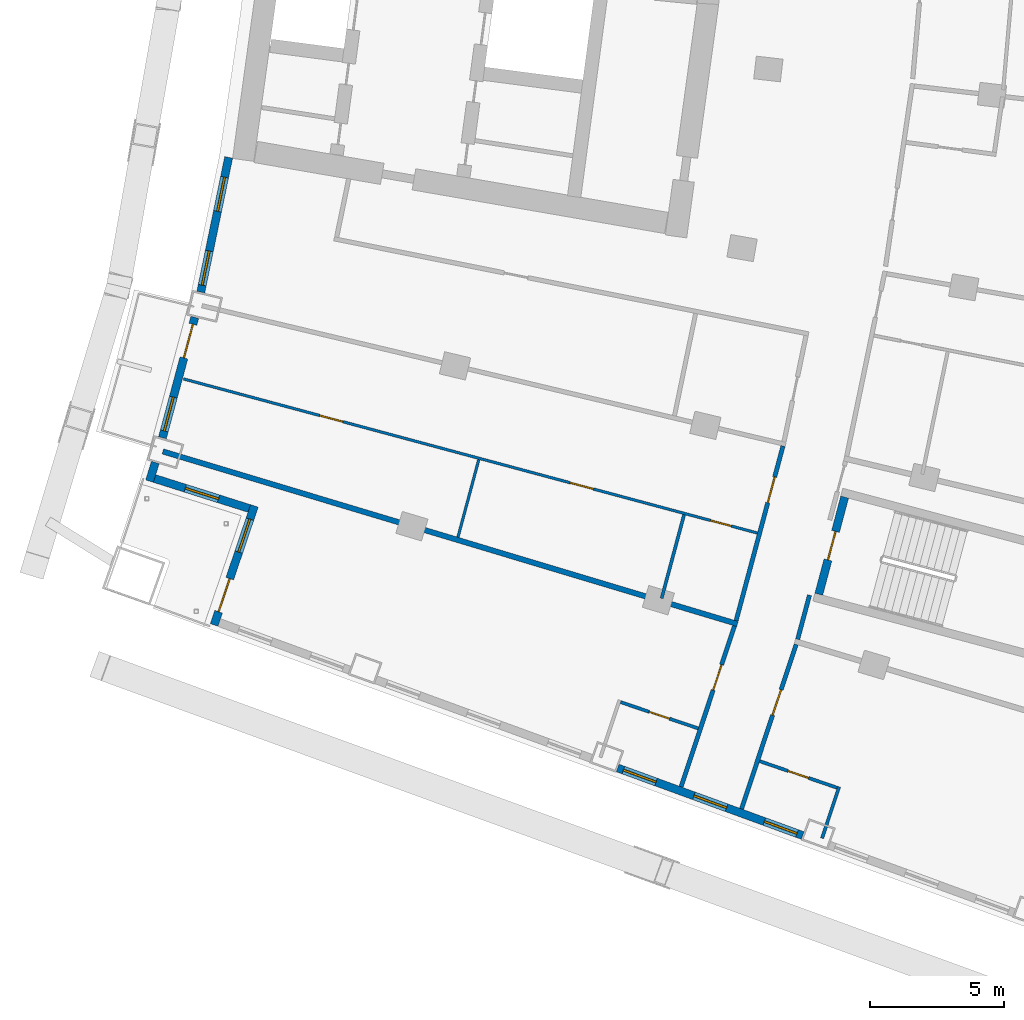
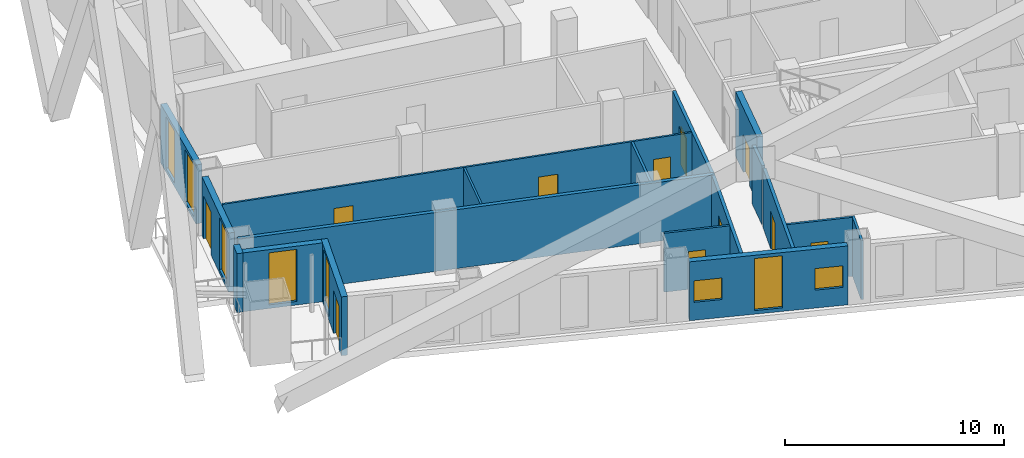
# One storey, part 11 of 24: 18 walls, 11 doors, 8 windows, 19 openings.
"""IFC4 building model written with IfcOpenShell, lengths in metres."""

import ifcopenshell
import ifcopenshell.guid

model = None  # the IFC model being written
_history = None  # IfcOwnerHistory: only IFC2X3 demands one
_inside = {}  # id of a spatial element -> (the spatial element, [elements in it])
_under = {}  # id of a project, library or spatial element -> (it, [spatial elements below it])
_declared = {}  # id of a project -> (the project, [libraries it declares])
_typed = {}  # id of a type object -> (the type object, [elements of that type])
_made_of = {}  # id of a material, layer set ... -> (it, [elements and type objects made of it])


def new_model(schema):
    """Start an empty IFC model of exactly this schema.

    Asked for "IFC4X3", IfcOpenShell would pick the latest addendum, in which some entities
    have other attributes; the version numbers below select the first issue.
    IFC2X3 requires an IfcOwnerHistory on every rooted entity: one is made here for all.
    """
    global model, _history
    if schema == "IFC4X3":
        model = ifcopenshell.file(schema_version=(4, 3, 0, 0))
    else:
        model = ifcopenshell.file(schema=schema)
    _inside.clear()
    _under.clear()
    _declared.clear()
    _typed.clear()
    _made_of.clear()
    _history = None
    if model.schema == "IFC2X3":
        org = make("IfcOrganization", Name="unknown")
        user = make(
            "IfcPersonAndOrganization",
            ThePerson=make("IfcPerson", FamilyName="unknown"),
            TheOrganization=org,
        )
        app = make(
            "IfcApplication",
            ApplicationDeveloper=org,
            Version="unknown",
            ApplicationFullName="unknown",
            ApplicationIdentifier="unknown",
        )
        _history = make(
            "IfcOwnerHistory",
            OwningUser=user,
            OwningApplication=app,
            ChangeAction="ADDED",
            CreationDate=0,
        )
    return model


def make(cls, **values):
    """One entity of the class cls with the attributes given. An attribute that is None is left unset."""
    return model.create_entity(
        cls, **{name: value for name, value in values.items() if value is not None}
    )


def rooted(cls, **values):
    """An entity with a GlobalId (a new one), such as an element, a storey or a relation."""
    return make(cls, GlobalId=ifcopenshell.guid.new(), OwnerHistory=_history, **values)


def si_unit(unit_type, name, prefix=None):
    """IfcSIUnit, for example si_unit("LENGTHUNIT", "METRE", prefix="MILLI")."""
    return make("IfcSIUnit", UnitType=unit_type, Prefix=prefix, Name=name)


def assignment(units):
    """IfcUnitAssignment: the units of a project."""
    return None if units is None else make("IfcUnitAssignment", Units=units)


def point(xyz):
    """IfcCartesianPoint."""
    return None if xyz is None else make("IfcCartesianPoint", Coordinates=xyz)


def direction(xyz):
    """IfcDirection."""
    return None if xyz is None else make("IfcDirection", DirectionRatios=xyz)


def frame(location, z_axis=None, x_axis=None):
    """IfcAxis2Placement3D, a coordinate frame: its origin and axes. An axis left out is left unset."""
    return make(
        "IfcAxis2Placement3D",
        Location=point(location),
        Axis=direction(z_axis),
        RefDirection=direction(x_axis),
    )


def frame_2d(location, x_axis=None):
    """IfcAxis2Placement2D, a coordinate frame in the plane: its origin and x axis."""
    return make(
        "IfcAxis2Placement2D", Location=point(location), RefDirection=direction(x_axis)
    )


def origin():
    """The frame at (0, 0, 0) with its axes left unset."""
    return frame((0.0, 0.0, 0.0))


def place(relative_to, where):
    """IfcLocalPlacement: puts the frame where relative to a parent placement (None: the world)."""
    return make(
        "IfcLocalPlacement", PlacementRelTo=relative_to, RelativePlacement=where
    )


def context(
    kind, dimensions, precision=None, world=None, true_north=None, identifier=None
):
    """IfcGeometricRepresentationContext, for example the 3D "Model" context."""
    return make(
        "IfcGeometricRepresentationContext",
        ContextIdentifier=identifier,
        ContextType=kind,
        CoordinateSpaceDimension=dimensions,
        Precision=precision,
        WorldCoordinateSystem=world,
        TrueNorth=true_north,
    )


def subcontext(parent, identifier, kind, view, scale=None):
    """IfcGeometricRepresentationSubContext, for example "Body" below "Model"."""
    return make(
        "IfcGeometricRepresentationSubContext",
        ContextIdentifier=identifier,
        ContextType=kind,
        ParentContext=parent,
        TargetScale=scale,
        TargetView=view,
    )


def project(units=None, contexts=None):
    """IfcProject with its units and contexts."""
    return rooted(
        "IfcProject",
        Name="project",
        RepresentationContexts=contexts,
        UnitsInContext=assignment(units),
    )


def spatial(cls, under=None, at=None, **own):
    """A site, building, storey or space (cls), placed at a placement, below another one or the project."""
    s = rooted(cls, ObjectPlacement=at, **own)
    if under is not None:
        _under.setdefault(under.id(), (under, []))[1].append(s)
    return s


def profile(cls, at=None, kind="AREA", **sizes):
    """A parametric profile (cls). Its sizes go by their IFC names, for example OverallWidth=200.0."""
    return make(cls, ProfileType=kind, Position=at, **sizes)


def rectangle(**sizes):
    """IfcRectangleProfileDef."""
    return profile("IfcRectangleProfileDef", **sizes)


def extrude(swept, where, along, depth):
    """IfcExtrudedAreaSolid: the profile swept, set in the frame where, extruded along a direction by depth."""
    return make(
        "IfcExtrudedAreaSolid",
        SweptArea=swept,
        Position=where,
        ExtrudedDirection=direction(along),
        Depth=depth,
    )


def shape(context_of_items, identifier, shape_type, items):
    """IfcShapeRepresentation: the items that make up one representation, for example the "Body"."""
    return make(
        "IfcShapeRepresentation",
        ContextOfItems=context_of_items,
        RepresentationIdentifier=identifier,
        RepresentationType=shape_type,
        Items=items,
    )


def material(Name=None, Category=None):
    """IfcMaterial."""
    return make("IfcMaterial", Name=Name, Category=Category)


def layer(
    of_material, thickness, ventilated=None, Name=None, Category=None, Priority=None
):
    """IfcMaterialLayer: one layer of a wall or slab, of a material (None: an air gap)."""
    return make(
        "IfcMaterialLayer",
        Material=of_material,
        LayerThickness=thickness,
        IsVentilated=ventilated,
        Name=Name,
        Category=Category,
        Priority=Priority,
    )


def layer_set(layers, Name=None):
    """IfcMaterialLayerSet."""
    return make("IfcMaterialLayerSet", MaterialLayers=layers, LayerSetName=Name)


def made_of(thing, what):
    """Note that an element or type object is made of a material, layer set ...; save() writes the relation."""
    if what is not None:
        _made_of.setdefault(what.id(), (what, []))[1].append(thing)
    return thing


def type_object(cls, material=None, **own):
    """A type object (cls), such as IfcWallType, which elements share."""
    return made_of(rooted(cls, **own), material)


def element(
    cls,
    number,
    at=None,
    inside=None,
    cuts=None,
    type_object=None,
    material=None,
    context=None,
    identifier="Body",
    shape_type=None,
    held_by="IfcProductDefinitionShape",
    body=None,
    shapes=None,
    **own,
):
    """One element of the class cls, such as IfcWall. Its Tag is "e" and its number.

    at: its placement. inside: the storey or other place that contains it. cuts: it is an
    opening in that element (IfcRelVoidsElement). A single representation is given by context,
    identifier, shape_type and body (its items); several are given by shapes. held_by: the class
    of the entity that holds the representations. save() writes the other relations.
    """
    e = rooted(cls, Tag="e%d" % number, ObjectPlacement=at, **own)
    if body is not None:
        shapes = [shape(context, identifier, shape_type, body)]
    if shapes is not None:
        e.Representation = make(held_by, Representations=shapes)
    if inside is not None:
        _inside.setdefault(inside.id(), (inside, []))[1].append(e)
    if cuts is not None:
        rooted(
            "IfcRelVoidsElement", RelatingBuildingElement=cuts, RelatedOpeningElement=e
        )
    if type_object is not None:
        _typed.setdefault(type_object.id(), (type_object, []))[1].append(e)
    return made_of(e, material)


def fill(opening, filler):
    """IfcRelFillsElement: the door or window that sits in an opening."""
    return rooted(
        "IfcRelFillsElement",
        RelatingOpeningElement=opening,
        RelatedBuildingElement=filler,
    )


def aggregate(whole, parts):
    """IfcRelAggregates: a whole, such as a stair, and the parts it consists of."""
    return rooted("IfcRelAggregates", RelatingObject=whole, RelatedObjects=parts)


def save(model, path):
    """Write the relations noted so far, then the file.

    IfcRelAggregates (storeys below a building ...), IfcRelContainedInSpatialStructure (elements
    in a storey), IfcRelDefinesByType, IfcRelAssociatesMaterial and IfcRelDeclares: one each for
    every whole, place, type object, material and project.
    """
    for whole, parts in _under.values():
        aggregate(whole, parts)
    for where, things in _inside.values():
        rooted(
            "IfcRelContainedInSpatialStructure",
            RelatedElements=things,
            RelatingStructure=where,
        )
    for kind, things in _typed.values():
        rooted("IfcRelDefinesByType", RelatedObjects=things, RelatingType=kind)
    for what, things in _made_of.values():
        rooted("IfcRelAssociatesMaterial", RelatedObjects=things, RelatingMaterial=what)
    for by, libraries in _declared.values():
        rooted("IfcRelDeclares", RelatingContext=by, RelatedDefinitions=libraries)
    model.write(path)


model = new_model("IFC4")

# Units and contexts
model_context = context("Model", 3, precision=1e-05, world=origin(), true_north=direction((0.0, 1.0)))
body_context = subcontext(model_context, "Body", "Model", "MODEL_VIEW")
ifc_project = project(units=[si_unit("LENGTHUNIT", "METRE"), si_unit("AREAUNIT", "SQUARE_METRE"), si_unit("VOLUMEUNIT", "CUBIC_METRE"), si_unit("PLANEANGLEUNIT", "RADIAN"), si_unit("MASSUNIT", "GRAM", prefix="KILO")], contexts=[model_context])

# Site, building, storey
site_placement = place(None, origin())
site = spatial("IfcSite", under=ifc_project, at=site_placement, CompositionType="ELEMENT")
building_placement = place(site_placement, origin())
building = spatial("IfcBuilding", under=site, at=building_placement, Name="Alderwake Tower", CompositionType="ELEMENT")
storey_placement = place(building_placement, frame((0.0, 0.0, 104.0)))
storey = spatial("IfcBuildingStorey", under=building, at=storey_placement, Name="L25", CompositionType="ELEMENT", Elevation=104.0)

# Wall, opening, door
ifc_material_1 = material(Name="Concrete C70/85", Category="concrete")
ifc_layer_1 = layer(ifc_material_1, 0.300048828125)
ifc_layer_set_1 = layer_set([ifc_layer_1], Name="Core wall stair enclosure 300 C70-85")
wall_type_1 = type_object("IfcWallType", Name="Core wall stair enclosure 300 C70-85", PredefinedType="SHEAR", material=ifc_layer_set_1)
wall_1_placement = place(storey_placement, frame((36.89501953125, 27.923828125, 0.0), z_axis=(0.0, 0.0, 1.0), x_axis=(0.257350630826, 0.966318090907, 0.0)))
wall_1 = element("IfcWall", 1, at=wall_1_placement, inside=storey, type_object=wall_type_1, Name="Core wall CW.087", PredefinedType="SHEAR", context=body_context, shape_type="SweptSolid", body=[
    extrude(rectangle(XDim=3.75, YDim=0.300048828125, at=frame_2d((1.875, 0.0))), origin(), (0.0, 0.0, 1.0), 3.60009765625),
])
opening_1_placement = place(wall_1_placement, frame((1.324951171875, 0.0, 0.0)))
opening_1 = element("IfcOpeningElement", 2, at=opening_1_placement, cuts=wall_1, Name="Opening C065", PredefinedType="OPENING", context=body_context, shape_type="SweptSolid", body=[
    extrude(rectangle(XDim=1.10009765625, YDim=2.10009765625, at=frame_2d((0.550048828125, 1.050048828125))), frame((0.0, 0.159912109375, 0.0), z_axis=(0.0, -1.0, 0.0), x_axis=(1.0, 0.0, 0.0)), (0.0, 0.0, 1.0), 0.320068359375),
])
ifc_material_2 = material(Name="Steel-framed fire door leaf", Category="steel")
door_type_1 = type_object("IfcDoorType", Name="Core stair door 1100 fire-rated", OperationType="SINGLE_SWING_LEFT", PredefinedType="DOOR", material=ifc_material_2)
door_1_placement = place(opening_1_placement, origin())
door_1 = element("IfcDoor", 3, at=door_1_placement, inside=storey, type_object=door_type_1, Name="Stair door", OperationType="SINGLE_SWING_LEFT", OverallHeight=2.10009765625, OverallWidth=1.10009765625, PredefinedType="DOOR", context=body_context, shape_type="SweptSolid", body=[
    extrude(rectangle(XDim=1.10009765625, YDim=2.10009765625, at=frame_2d((0.550048828125, 1.050048828125))), frame((0.0, 0.02490234375, 0.0), z_axis=(0.0, -1.0, 0.0), x_axis=(1.0, 0.0, 0.0)), (0.0, 0.0, 1.0), 0.050048828125),
])
fill(opening_1, door_1)

ifc_material_3 = material(Name="Gypsum board on metal studs, rated")
ifc_layer_2 = layer(ifc_material_3, 0.159912109375)
ifc_layer_set_2 = layer_set([ifc_layer_2], Name="Corridor wall 160")
wall_type_2 = type_object("IfcWallType", Name="Corridor wall 160", PredefinedType="PARTITIONING", material=ifc_layer_set_2)
wall_2_placement = place(storey_placement, frame((31.7548828125, 20.739013671875, 0.0), z_axis=(0.0, 0.0, 1.0), x_axis=(0.31554473692, 0.948910701279, 0.0)))
wall_2 = element("IfcWall", 4, at=wall_2_placement, inside=storey, type_object=wall_type_2, Name="WL/L25/W22", PredefinedType="PARTITIONING", context=body_context, shape_type="SweptSolid", body=[
    extrude(rectangle(XDim=6.327392578125, YDim=0.159912109375, at=frame_2d((3.16357421875, 0.0))), origin(), (0.0, 0.0, 1.0), 3.280029296875),
])
opening_2_placement = place(wall_2_placement, frame((3.799072265625, 0.0, 0.0)))
opening_2 = element("IfcOpeningElement", 5, at=opening_2_placement, cuts=wall_2, Name="Opening R07-U10.1", PredefinedType="OPENING", context=body_context, shape_type="SweptSolid", body=[
    extrude(rectangle(XDim=1.0, YDim=2.10009765625, at=frame_2d((0.5, 1.050048828125))), frame((0.0, 0.08984375, 0.0), z_axis=(0.0, -1.0, 0.0), x_axis=(1.0, 0.0, 0.0)), (0.0, 0.0, 1.0), 0.179931640625),
])
ifc_material_4 = material(Name="Solid timber leaf in steel frame", Category="steel")
door_type_2 = type_object("IfcDoorType", Name="Flat entrance door 1000 fire-rated", OperationType="SINGLE_SWING_LEFT", PredefinedType="DOOR", material=ifc_material_4)
door_2_placement = place(opening_2_placement, origin())
door_2 = element("IfcDoor", 6, at=door_2_placement, inside=storey, type_object=door_type_2, Name="DR/L25/U10.1", OperationType="SINGLE_SWING_LEFT", OverallHeight=2.10009765625, OverallWidth=1.0, PredefinedType="DOOR", context=body_context, shape_type="SweptSolid", body=[
    extrude(rectangle(XDim=1.0, YDim=2.10009765625, at=frame_2d((0.5, 1.050048828125))), frame((0.0, 0.02490234375, 0.0), z_axis=(0.0, -1.0, 0.0), x_axis=(1.0, 0.0, 0.0)), (0.0, 0.0, 1.0), 0.050048828125),
])
fill(opening_2, door_2)

wall_3_placement = place(storey_placement, frame((33.808837890625, 26.9345703125, 0.0), z_axis=(0.0, 0.0, 1.0), x_axis=(0.259298911818, 0.965797118618, 0.0)))
wall_3 = element("IfcWall", 7, at=wall_3_placement, inside=storey, type_object=wall_type_2, Name="WL/L25/W23", PredefinedType="PARTITIONING", context=body_context, shape_type="SweptSolid", body=[
    extrude(rectangle(XDim=6.75, YDim=0.159912109375, at=frame_2d((3.375, 0.0))), origin(), (0.0, 0.0, 1.0), 3.280029296875),
])
opening_3_placement = place(wall_3_placement, frame((4.5576171875, 0.0, 0.0)))
opening_3 = element("IfcOpeningElement", 8, at=opening_3_placement, cuts=wall_3, Name="Opening R07-U11.2", PredefinedType="OPENING", context=body_context, shape_type="SweptSolid", body=[
    extrude(rectangle(XDim=1.0, YDim=2.10009765625, at=frame_2d((0.5, 1.050048828125))), frame((0.0, 0.08984375, 0.0), z_axis=(0.0, -1.0, 0.0), x_axis=(1.0, 0.0, 0.0)), (0.0, 0.0, 1.0), 0.179931640625),
])
door_3_placement = place(opening_3_placement, origin())
door_3 = element("IfcDoor", 9, at=door_3_placement, inside=storey, type_object=door_type_2, Name="DR/L25/U11.2", OperationType="SINGLE_SWING_LEFT", OverallHeight=2.10009765625, OverallWidth=1.0, PredefinedType="DOOR", context=body_context, shape_type="SweptSolid", body=[
    extrude(rectangle(XDim=1.0, YDim=2.10009765625, at=frame_2d((0.5, 1.050048828125))), frame((0.0, 0.02490234375, 0.0), z_axis=(0.0, -1.0, 0.0), x_axis=(1.0, 0.0, 0.0)), (0.0, 0.0, 1.0), 0.050048828125),
])
fill(opening_3, door_3)

wall_4_placement = place(storey_placement, frame((36.049560546875, 26.052978515625, 0.0), z_axis=(0.0, 0.0, 1.0), x_axis=(-0.315151894598, -0.949041244273, 0.0)))
wall_4 = element("IfcWall", 10, at=wall_4_placement, inside=storey, type_object=wall_type_2, Name="WL/L25/W25", PredefinedType="PARTITIONING", context=body_context, shape_type="SweptSolid", body=[
    extrude(rectangle(XDim=6.468505859375, YDim=0.159912109375, at=frame_2d((3.234375, 0.0))), origin(), (0.0, 0.0, 1.0), 3.280029296875),
])
opening_4_placement = place(wall_4_placement, frame((1.7822265625, 0.0, 0.0)))
opening_4 = element("IfcOpeningElement", 11, at=opening_4_placement, cuts=wall_4, Name="Opening R07-U03.1", PredefinedType="OPENING", context=body_context, shape_type="SweptSolid", body=[
    extrude(rectangle(XDim=1.0, YDim=2.10009765625, at=frame_2d((0.5, 1.050048828125))), frame((0.0, 0.08984375, 0.0), z_axis=(0.0, -1.0, 0.0), x_axis=(1.0, 0.0, 0.0)), (0.0, 0.0, 1.0), 0.179931640625),
])
door_4_placement = place(opening_4_placement, origin())
door_4 = element("IfcDoor", 12, at=door_4_placement, inside=storey, type_object=door_type_2, Name="DR/L25/U03.1", OperationType="SINGLE_SWING_LEFT", OverallHeight=2.10009765625, OverallWidth=1.0, PredefinedType="DOOR", context=body_context, shape_type="SweptSolid", body=[
    extrude(rectangle(XDim=1.0, YDim=2.10009765625, at=frame_2d((0.5, 1.050048828125))), frame((0.0, 0.02490234375, 0.0), z_axis=(0.0, -1.0, 0.0), x_axis=(1.0, 0.0, 0.0)), (0.0, 0.0, 1.0), 0.050048828125),
])
fill(opening_4, door_4)

# Walls
wall_5_placement = place(storey_placement, frame((36.10693359375, 26.24462890625, 0.0), z_axis=(0.0, 0.0, 1.0), x_axis=(0.259346865847, 0.965784242559, 0.0)))
element("IfcWall", 13, at=wall_5_placement, inside=storey, type_object=wall_type_2, Name="WL/L25/W27", PredefinedType="PARTITIONING", context=body_context, shape_type="SweptSolid", body=[
    extrude(rectangle(XDim=1.704833984375, YDim=0.159912109375, at=frame_2d((0.8525390625, 0.0))), origin(), (0.0, 0.0, 1.0), 3.280029296875),
])
ifc_material_5 = material(Name="Precast concrete C50/60 spandrel panel", Category="concrete")
ifc_layer_3 = layer(ifc_material_5, 0.300048828125)
ifc_layer_set_3 = layer_set([ifc_layer_3], Name="External wall EW1 Precast concrete C50/60 spandrel")
wall_type_3 = type_object("IfcWallType", Name="External wall EW1 Precast concrete C50/60 spandrel", PredefinedType="SOLIDWALL", material=ifc_layer_set_3)
wall_6_placement = place(storey_placement, frame((12.14013671875, 32.83837890625, 0.0), z_axis=(0.0, 0.0, 1.0), x_axis=(-0.294604532955, -0.955619259518, 0.0)))
element("IfcWall", 14, at=wall_6_placement, inside=storey, type_object=wall_type_3, Name="External wall 1", PredefinedType="SOLIDWALL", context=body_context, shape_type="SweptSolid", body=[
    extrude(rectangle(XDim=0.7275390625, YDim=0.300048828125, at=frame_2d((0.36376953125, 0.0))), origin(), (0.0, 0.0, 1.0), 3.280029296875),
])

# Wall, openings, windows
wall_7_placement = place(storey_placement, frame((14.878173828125, 44.223388671875, 0.0), z_axis=(0.0, 0.0, 1.0), x_axis=(-0.202723539143, -0.979236011734, 0.0)))
wall_7 = element("IfcWall", 15, at=wall_7_placement, inside=storey, type_object=wall_type_3, Name="External wall 35", PredefinedType="SOLIDWALL", context=body_context, shape_type="SweptSolid", body=[
    extrude(rectangle(XDim=5.134033203125, YDim=0.300048828125, at=frame_2d((2.56689453125, 0.0))), origin(), (0.0, 0.0, 1.0), 3.280029296875),
])
opening_5_placement = place(wall_7_placement, frame((0.75634765625, 0.0, 0.199951171875)))
opening_5 = element("IfcOpeningElement", 16, at=opening_5_placement, cuts=wall_7, Name="Opening W1", PredefinedType="OPENING", context=body_context, shape_type="SweptSolid", body=[
    extrude(rectangle(XDim=1.300048828125, YDim=2.89990234375, at=frame_2d((0.64990234375, 1.449951171875))), frame((0.0, 0.159912109375, 0.0), z_axis=(0.0, -1.0, 0.0), x_axis=(1.0, 0.0, 0.0)), (0.0, 0.0, 1.0), 0.320068359375),
])
opening_6_placement = place(wall_7_placement, frame((3.569091796875, 0.0, 0.199951171875)))
opening_6 = element("IfcOpeningElement", 17, at=opening_6_placement, cuts=wall_7, Name="Opening W1", PredefinedType="OPENING", context=body_context, shape_type="SweptSolid", body=[
    extrude(rectangle(XDim=1.300048828125, YDim=2.89990234375, at=frame_2d((0.64990234375, 1.449951171875))), frame((0.0, 0.159912109375, 0.0), z_axis=(0.0, -1.0, 0.0), x_axis=(1.0, 0.0, 0.0)), (0.0, 0.0, 1.0), 0.320068359375),
])
ifc_material_6 = material(Name="Bronze tinted glass in aluminium frame", Category="aluminium")
window_type_1 = type_object("IfcWindowType", Name="Window W1 tall fixed and vent", PartitioningType="DOUBLE_PANEL_VERTICAL", PredefinedType="WINDOW", material=ifc_material_6)
window_1_placement = place(opening_5_placement, origin())
window_1 = element("IfcWindow", 18, at=window_1_placement, inside=storey, type_object=window_type_1, Name="Window W1 tall fixed and vent", OverallHeight=2.89990234375, OverallWidth=1.300048828125, PartitioningType="DOUBLE_PANEL_VERTICAL", PredefinedType="WINDOW", context=body_context, shape_type="SweptSolid", body=[
    extrude(rectangle(XDim=1.300048828125, YDim=2.89990234375, at=frame_2d((0.64990234375, 1.449951171875))), frame((0.0, 0.030029296875, 0.0), z_axis=(0.0, -1.0, 0.0), x_axis=(1.0, 0.0, 0.0)), (0.0, 0.0, 1.0), 0.06005859375),
])
fill(opening_5, window_1)
window_2_placement = place(opening_6_placement, origin())
window_2 = element("IfcWindow", 19, at=window_2_placement, inside=storey, type_object=window_type_1, Name="Window W1 tall fixed and vent", OverallHeight=2.89990234375, OverallWidth=1.300048828125, PartitioningType="DOUBLE_PANEL_VERTICAL", PredefinedType="WINDOW", context=body_context, shape_type="SweptSolid", body=[
    extrude(rectangle(XDim=1.300048828125, YDim=2.89990234375, at=frame_2d((0.64990234375, 1.449951171875))), frame((0.0, 0.030029296875, 0.0), z_axis=(0.0, -1.0, 0.0), x_axis=(1.0, 0.0, 0.0)), (0.0, 0.0, 1.0), 0.06005859375),
])
fill(opening_6, window_2)

# Wall, openings, door, window
wall_8_placement = place(storey_placement, frame((13.61328125, 38.254150390625, 0.0), z_axis=(0.0, 0.0, 1.0), x_axis=(-0.259468933642, -0.965751454814, 0.0)))
wall_8 = element("IfcWall", 20, at=wall_8_placement, inside=storey, type_object=wall_type_3, Name="External wall 36", PredefinedType="SOLIDWALL", context=body_context, shape_type="SweptSolid", body=[
    extrude(rectangle(XDim=4.65087890625, YDim=0.300048828125, at=frame_2d((2.325439453125, 0.0))), origin(), (0.0, 0.0, 1.0), 3.280029296875),
])
opening_7_placement = place(wall_8_placement, frame((0.26708984375, 0.0, 0.0)))
opening_7 = element("IfcOpeningElement", 21, at=opening_7_placement, cuts=wall_8, Name="Opening D15", PredefinedType="OPENING", context=body_context, shape_type="SweptSolid", body=[
    extrude(rectangle(XDim=1.300048828125, YDim=2.39990234375, at=frame_2d((0.64990234375, 1.199951171875))), frame((0.0, 0.159912109375, 0.0), z_axis=(0.0, -1.0, 0.0), x_axis=(1.0, 0.0, 0.0)), (0.0, 0.0, 1.0), 0.320068359375),
])
opening_8_placement = place(wall_8_placement, frame((3.083984375, 0.0, 0.199951171875)))
opening_8 = element("IfcOpeningElement", 22, at=opening_8_placement, cuts=wall_8, Name="Opening W1", PredefinedType="OPENING", context=body_context, shape_type="SweptSolid", body=[
    extrude(rectangle(XDim=1.300048828125, YDim=2.89990234375, at=frame_2d((0.64990234375, 1.449951171875))), frame((0.0, 0.159912109375, 0.0), z_axis=(0.0, -1.0, 0.0), x_axis=(1.0, 0.0, 0.0)), (0.0, 0.0, 1.0), 0.320068359375),
])
ifc_material_7 = material(Name="Bronze tinted glass in aluminium frame", Category="aluminium")
door_type_3 = type_object("IfcDoorType", Name="Balcony door BD sliding", OperationType="SLIDING_TO_LEFT", PredefinedType="DOOR", material=ifc_material_7)
door_5_placement = place(opening_7_placement, origin())
door_5 = element("IfcDoor", 23, at=door_5_placement, inside=storey, type_object=door_type_3, Name="Door D15", OperationType="SLIDING_TO_LEFT", OverallHeight=2.39990234375, OverallWidth=1.300048828125, PredefinedType="DOOR", context=body_context, shape_type="SweptSolid", body=[
    extrude(rectangle(XDim=1.300048828125, YDim=2.39990234375, at=frame_2d((0.64990234375, 1.199951171875))), frame((0.0, 0.02490234375, 0.0), z_axis=(0.0, -1.0, 0.0), x_axis=(1.0, 0.0, 0.0)), (0.0, 0.0, 1.0), 0.050048828125),
])
fill(opening_7, door_5)
window_3_placement = place(opening_8_placement, origin())
window_3 = element("IfcWindow", 24, at=window_3_placement, inside=storey, type_object=window_type_1, Name="Window W1 tall fixed and vent", OverallHeight=2.89990234375, OverallWidth=1.300048828125, PartitioningType="DOUBLE_PANEL_VERTICAL", PredefinedType="WINDOW", context=body_context, shape_type="SweptSolid", body=[
    extrude(rectangle(XDim=1.300048828125, YDim=2.89990234375, at=frame_2d((0.64990234375, 1.449951171875))), frame((0.0, 0.030029296875, 0.0), z_axis=(0.0, -1.0, 0.0), x_axis=(1.0, 0.0, 0.0)), (0.0, 0.0, 1.0), 0.06005859375),
])
fill(opening_8, window_3)

# Wall, opening, window
ifc_material_8 = material(Name="Bronze metal cladding on lightweight framing")
ifc_layer_4 = layer(ifc_material_8, 0.300048828125)
ifc_layer_set_4 = layer_set([ifc_layer_4], Name="External wall EW2 bronze metal cladding")
wall_type_4 = type_object("IfcWallType", Name="External wall EW2 bronze metal cladding", PredefinedType="SOLIDWALL", material=ifc_layer_set_4)
wall_9_placement = place(storey_placement, frame((12.113037109375, 32.2412109375, 0.0), z_axis=(0.0, 0.0, 1.0), x_axis=(0.953458128271, -0.301525451054, 0.0)))
wall_9 = element("IfcWall", 25, at=wall_9_placement, inside=storey, type_object=wall_type_4, Name="External wall 2", PredefinedType="SOLIDWALL", context=body_context, shape_type="SweptSolid", body=[
    extrude(rectangle(XDim=3.705810546875, YDim=0.300048828125, at=frame_2d((1.85302734375, 0.0))), origin(), (0.0, 0.0, 1.0), 3.280029296875),
])
opening_9_placement = place(wall_9_placement, frame((1.202880859375, 0.0, 0.199951171875)))
opening_9 = element("IfcOpeningElement", 26, at=opening_9_placement, cuts=wall_9, Name="Opening W1", PredefinedType="OPENING", context=body_context, shape_type="SweptSolid", body=[
    extrude(rectangle(XDim=1.300048828125, YDim=2.89990234375, at=frame_2d((0.64990234375, 1.449951171875))), frame((0.0, 0.159912109375, 0.0), z_axis=(0.0, -1.0, 0.0), x_axis=(1.0, 0.0, 0.0)), (0.0, 0.0, 1.0), 0.320068359375),
])
window_4_placement = place(opening_9_placement, origin())
window_4 = element("IfcWindow", 27, at=window_4_placement, inside=storey, type_object=window_type_1, Name="Window W1 tall fixed and vent", OverallHeight=2.89990234375, OverallWidth=1.300048828125, PartitioningType="DOUBLE_PANEL_VERTICAL", PredefinedType="WINDOW", context=body_context, shape_type="SweptSolid", body=[
    extrude(rectangle(XDim=1.300048828125, YDim=2.89990234375, at=frame_2d((0.64990234375, 1.449951171875))), frame((0.0, 0.030029296875, 0.0), z_axis=(0.0, -1.0, 0.0), x_axis=(1.0, 0.0, 0.0)), (0.0, 0.0, 1.0), 0.06005859375),
])
fill(opening_9, window_4)

# Wall, openings, door, window
wall_10_placement = place(storey_placement, frame((15.83740234375, 31.220703125, 0.0), z_axis=(0.0, 0.0, 1.0), x_axis=(-0.32041006121, -0.947278941324, 0.0)))
wall_10 = element("IfcWall", 28, at=wall_10_placement, inside=storey, type_object=wall_type_4, Name="External wall 3", PredefinedType="SOLIDWALL", context=body_context, shape_type="SweptSolid", body=[
    extrude(rectangle(XDim=4.68994140625, YDim=0.300048828125, at=frame_2d((2.344970703125, 0.0))), origin(), (0.0, 0.0, 1.0), 3.280029296875),
])
opening_10_placement = place(wall_10_placement, frame((0.5224609375, 0.0, 0.199951171875)))
opening_10 = element("IfcOpeningElement", 29, at=opening_10_placement, cuts=wall_10, Name="Opening W1", PredefinedType="OPENING", context=body_context, shape_type="SweptSolid", body=[
    extrude(rectangle(XDim=1.300048828125, YDim=2.89990234375, at=frame_2d((0.64990234375, 1.449951171875))), frame((0.0, 0.159912109375, 0.0), z_axis=(0.0, -1.0, 0.0), x_axis=(1.0, 0.0, 0.0)), (0.0, 0.0, 1.0), 0.320068359375),
])
opening_11_placement = place(wall_10_placement, frame((2.867431640625, 0.0, 0.0)))
opening_11 = element("IfcOpeningElement", 30, at=opening_11_placement, cuts=wall_10, Name="Opening D01", PredefinedType="OPENING", context=body_context, shape_type="SweptSolid", body=[
    extrude(rectangle(XDim=1.300048828125, YDim=2.39990234375, at=frame_2d((0.64990234375, 1.199951171875))), frame((0.0, 0.159912109375, 0.0), z_axis=(0.0, -1.0, 0.0), x_axis=(1.0, 0.0, 0.0)), (0.0, 0.0, 1.0), 0.320068359375),
])
door_6_placement = place(opening_11_placement, origin())
door_6 = element("IfcDoor", 31, at=door_6_placement, inside=storey, type_object=door_type_3, Name="Door D01", OperationType="SLIDING_TO_LEFT", OverallHeight=2.39990234375, OverallWidth=1.300048828125, PredefinedType="DOOR", context=body_context, shape_type="SweptSolid", body=[
    extrude(rectangle(XDim=1.300048828125, YDim=2.39990234375, at=frame_2d((0.64990234375, 1.199951171875))), frame((0.0, 0.02490234375, 0.0), z_axis=(0.0, -1.0, 0.0), x_axis=(1.0, 0.0, 0.0)), (0.0, 0.0, 1.0), 0.050048828125),
])
fill(opening_11, door_6)
window_5_placement = place(opening_10_placement, origin())
window_5 = element("IfcWindow", 32, at=window_5_placement, inside=storey, type_object=window_type_1, Name="Window W1 tall fixed and vent", OverallHeight=2.89990234375, OverallWidth=1.300048828125, PartitioningType="DOUBLE_PANEL_VERTICAL", PredefinedType="WINDOW", context=body_context, shape_type="SweptSolid", body=[
    extrude(rectangle(XDim=1.300048828125, YDim=2.89990234375, at=frame_2d((0.64990234375, 1.449951171875))), frame((0.0, 0.030029296875, 0.0), z_axis=(0.0, -1.0, 0.0), x_axis=(1.0, 0.0, 0.0)), (0.0, 0.0, 1.0), 0.06005859375),
])
fill(opening_10, window_5)

# Wall, openings, windows
wall_11_placement = place(storey_placement, frame((29.39306640625, 21.44091796875, 0.0), z_axis=(0.0, 0.0, 1.0), x_axis=(0.939378390818, -0.342882252187, 0.0)))
wall_11 = element("IfcWall", 33, at=wall_11_placement, inside=storey, type_object=wall_type_4, Name="External wall 6", PredefinedType="SOLIDWALL", context=body_context, shape_type="SweptSolid", body=[
    extrude(rectangle(XDim=7.345947265625, YDim=0.300048828125, at=frame_2d((3.6728515625, 0.0))), origin(), (0.0, 0.0, 1.0), 3.280029296875),
])
opening_12_placement = place(wall_11_placement, frame((0.222900390625, 0.0, 1.0)))
opening_12 = element("IfcOpeningElement", 34, at=opening_12_placement, cuts=wall_11, Name="Opening W2", PredefinedType="OPENING", context=body_context, shape_type="SweptSolid", body=[
    extrude(rectangle(XDim=1.300048828125, YDim=1.199951171875, at=frame_2d((0.64990234375, 0.60009765625))), frame((0.0, 0.159912109375, 0.0), z_axis=(0.0, -1.0, 0.0), x_axis=(1.0, 0.0, 0.0)), (0.0, 0.0, 1.0), 0.320068359375),
])
opening_13_placement = place(wall_11_placement, frame((3.02294921875, 0.0, 0.199951171875)))
opening_13 = element("IfcOpeningElement", 35, at=opening_13_placement, cuts=wall_11, Name="Opening W1", PredefinedType="OPENING", context=body_context, shape_type="SweptSolid", body=[
    extrude(rectangle(XDim=1.300048828125, YDim=2.89990234375, at=frame_2d((0.64990234375, 1.449951171875))), frame((0.0, 0.159912109375, 0.0), z_axis=(0.0, -1.0, 0.0), x_axis=(1.0, 0.0, 0.0)), (0.0, 0.0, 1.0), 0.320068359375),
])
opening_14_placement = place(wall_11_placement, frame((5.822998046875, 0.0, 1.0)))
opening_14 = element("IfcOpeningElement", 36, at=opening_14_placement, cuts=wall_11, Name="Opening W2", PredefinedType="OPENING", context=body_context, shape_type="SweptSolid", body=[
    extrude(rectangle(XDim=1.300048828125, YDim=1.199951171875, at=frame_2d((0.64990234375, 0.60009765625))), frame((0.0, 0.159912109375, 0.0), z_axis=(0.0, -1.0, 0.0), x_axis=(1.0, 0.0, 0.0)), (0.0, 0.0, 1.0), 0.320068359375),
])
window_6_placement = place(opening_13_placement, origin())
window_6 = element("IfcWindow", 37, at=window_6_placement, inside=storey, type_object=window_type_1, Name="Window W1 tall fixed and vent", OverallHeight=2.89990234375, OverallWidth=1.300048828125, PartitioningType="DOUBLE_PANEL_VERTICAL", PredefinedType="WINDOW", context=body_context, shape_type="SweptSolid", body=[
    extrude(rectangle(XDim=1.300048828125, YDim=2.89990234375, at=frame_2d((0.64990234375, 1.449951171875))), frame((0.0, 0.030029296875, 0.0), z_axis=(0.0, -1.0, 0.0), x_axis=(1.0, 0.0, 0.0)), (0.0, 0.0, 1.0), 0.06005859375),
])
fill(opening_13, window_6)
ifc_material_9 = material(Name="Bronze tinted glass in aluminium frame", Category="aluminium")
window_type_2 = type_object("IfcWindowType", Name="Window W2 kitchen and bath", PartitioningType="SINGLE_PANEL", PredefinedType="WINDOW", material=ifc_material_9)
window_7_placement = place(opening_12_placement, origin())
window_7 = element("IfcWindow", 38, at=window_7_placement, inside=storey, type_object=window_type_2, Name="Window W2 kitchen and bath", OverallHeight=1.199951171875, OverallWidth=1.300048828125, PartitioningType="SINGLE_PANEL", PredefinedType="WINDOW", context=body_context, shape_type="SweptSolid", body=[
    extrude(rectangle(XDim=1.300048828125, YDim=1.199951171875, at=frame_2d((0.64990234375, 0.60009765625))), frame((0.0, 0.030029296875, 0.0), z_axis=(0.0, -1.0, 0.0), x_axis=(1.0, 0.0, 0.0)), (0.0, 0.0, 1.0), 0.06005859375),
])
fill(opening_12, window_7)
window_8_placement = place(opening_14_placement, origin())
window_8 = element("IfcWindow", 39, at=window_8_placement, inside=storey, type_object=window_type_2, Name="Window W2 kitchen and bath", OverallHeight=1.199951171875, OverallWidth=1.300048828125, PartitioningType="SINGLE_PANEL", PredefinedType="WINDOW", context=body_context, shape_type="SweptSolid", body=[
    extrude(rectangle(XDim=1.300048828125, YDim=1.199951171875, at=frame_2d((0.64990234375, 0.60009765625))), frame((0.0, 0.030029296875, 0.0), z_axis=(0.0, -1.0, 0.0), x_axis=(1.0, 0.0, 0.0)), (0.0, 0.0, 1.0), 0.06005859375),
])
fill(opening_14, window_8)

# Wall
ifc_material_10 = material(Name="Dense block masonry wall", Category="masonry")
ifc_layer_5 = layer(ifc_material_10, 0.199951171875)
ifc_layer_set_5 = layer_set([ifc_layer_5], Name="Party wall 200")
wall_type_5 = type_object("IfcWallType", Name="Party wall 200", PredefinedType="SOLIDWALL", material=ifc_layer_set_5)
wall_12_placement = place(storey_placement, frame((33.859619140625, 26.81494140625, 0.0), z_axis=(0.0, 0.0, 1.0), x_axis=(-0.95775179957, 0.287596054251, 0.0)))
element("IfcWall", 40, at=wall_12_placement, inside=storey, type_object=wall_type_5, Name="WL/L25/W03", PredefinedType="SOLIDWALL", context=body_context, shape_type="SweptSolid", body=[
    extrude(rectangle(XDim=22.382080078125, YDim=0.199951171875, at=frame_2d((11.19091796875, 0.0))), origin(), (0.0, 0.0, 1.0), 3.280029296875),
])

# Wall, openings, doors
ifc_material_11 = material(Name="Gypsum board on metal studs")
ifc_layer_6 = layer(ifc_material_11, 0.10009765625)
ifc_layer_set_6 = layer_set([ifc_layer_6], Name="Unit partition 100")
wall_type_6 = type_object("IfcWallType", Name="Unit partition 100", PredefinedType="PARTITIONING", material=ifc_layer_set_6)
wall_13_placement = place(storey_placement, frame((34.605712890625, 30.206787109375, 0.0), z_axis=(0.0, 0.0, 1.0), x_axis=(-0.965767846078, 0.259407917152, 0.0)))
wall_13 = element("IfcWall", 41, at=wall_13_placement, inside=storey, type_object=wall_type_6, Name="WL/L25/W67", PredefinedType="PARTITIONING", context=body_context, shape_type="SweptSolid", body=[
    extrude(rectangle(XDim=22.170654296875, YDim=0.10009765625, at=frame_2d((11.08544921875, 0.0))), origin(), (0.0, 0.0, 1.0), 3.280029296875),
])
opening_15_placement = place(wall_13_placement, frame((6.335205078125, 0.0, 0.0)))
opening_15 = element("IfcOpeningElement", 42, at=opening_15_placement, cuts=wall_13, Name="Opening R07-U11.1", PredefinedType="OPENING", context=body_context, shape_type="SweptSolid", body=[
    extrude(rectangle(XDim=0.89990234375, YDim=2.10009765625, at=frame_2d((0.449951171875, 1.050048828125))), frame((0.0, 0.06005859375, 0.0), z_axis=(0.0, -1.0, 0.0), x_axis=(1.0, 0.0, 0.0)), (0.0, 0.0, 1.0), 0.1201171875),
])
opening_16_placement = place(wall_13_placement, frame((1.010009765625, 0.0, 0.0)))
opening_16 = element("IfcOpeningElement", 43, at=opening_16_placement, cuts=wall_13, Name="Opening R07-U11.3", PredefinedType="OPENING", context=body_context, shape_type="SweptSolid", body=[
    extrude(rectangle(XDim=0.800048828125, YDim=2.10009765625, at=frame_2d((0.39990234375, 1.050048828125))), frame((0.0, 0.06005859375, 0.0), z_axis=(0.0, -1.0, 0.0), x_axis=(1.0, 0.0, 0.0)), (0.0, 0.0, 1.0), 0.1201171875),
])
opening_17_placement = place(wall_13_placement, frame((16.010498046875, 0.0, 0.0)))
opening_17 = element("IfcOpeningElement", 44, at=opening_17_placement, cuts=wall_13, Name="Opening R07-U11.4", PredefinedType="OPENING", context=body_context, shape_type="SweptSolid", body=[
    extrude(rectangle(XDim=0.89990234375, YDim=2.10009765625, at=frame_2d((0.449951171875, 1.050048828125))), frame((0.0, 0.06005859375, 0.0), z_axis=(0.0, -1.0, 0.0), x_axis=(1.0, 0.0, 0.0)), (0.0, 0.0, 1.0), 0.1201171875),
])
ifc_material_12 = material(Name="Painted timber leaf", Category="wood")
door_type_4 = type_object("IfcDoorType", Name="Bathroom door 800", OperationType="SINGLE_SWING_LEFT", PredefinedType="DOOR", material=ifc_material_12)
door_7_placement = place(opening_16_placement, origin())
door_7 = element("IfcDoor", 45, at=door_7_placement, inside=storey, type_object=door_type_4, Name="DR/L25/U11.3", OperationType="SINGLE_SWING_LEFT", OverallHeight=2.10009765625, OverallWidth=0.800048828125, PredefinedType="DOOR", context=body_context, shape_type="SweptSolid", body=[
    extrude(rectangle(XDim=0.800048828125, YDim=2.10009765625, at=frame_2d((0.39990234375, 1.050048828125))), frame((0.0, 0.02490234375, 0.0), z_axis=(0.0, -1.0, 0.0), x_axis=(1.0, 0.0, 0.0)), (0.0, 0.0, 1.0), 0.050048828125),
])
fill(opening_16, door_7)
ifc_material_13 = material(Name="Painted timber leaf", Category="wood")
door_type_5 = type_object("IfcDoorType", Name="Room door 900", OperationType="SINGLE_SWING_LEFT", PredefinedType="DOOR", material=ifc_material_13)
door_8_placement = place(opening_15_placement, origin())
door_8 = element("IfcDoor", 46, at=door_8_placement, inside=storey, type_object=door_type_5, Name="DR/L25/U11.1", OperationType="SINGLE_SWING_LEFT", OverallHeight=2.10009765625, OverallWidth=0.89990234375, PredefinedType="DOOR", context=body_context, shape_type="SweptSolid", body=[
    extrude(rectangle(XDim=0.89990234375, YDim=2.10009765625, at=frame_2d((0.449951171875, 1.050048828125))), frame((0.0, 0.02490234375, 0.0), z_axis=(0.0, -1.0, 0.0), x_axis=(1.0, 0.0, 0.0)), (0.0, 0.0, 1.0), 0.050048828125),
])
fill(opening_15, door_8)
door_9_placement = place(opening_17_placement, origin())
door_9 = element("IfcDoor", 47, at=door_9_placement, inside=storey, type_object=door_type_5, Name="DR/L25/U11.4", OperationType="SINGLE_SWING_LEFT", OverallHeight=2.10009765625, OverallWidth=0.89990234375, PredefinedType="DOOR", context=body_context, shape_type="SweptSolid", body=[
    extrude(rectangle(XDim=0.89990234375, YDim=2.10009765625, at=frame_2d((0.449951171875, 1.050048828125))), frame((0.0, 0.02490234375, 0.0), z_axis=(0.0, -1.0, 0.0), x_axis=(1.0, 0.0, 0.0)), (0.0, 0.0, 1.0), 0.050048828125),
])
fill(opening_17, door_9)

# Walls
wall_14_placement = place(storey_placement, frame((24.208984375, 32.94580078125, 0.0), z_axis=(0.0, 0.0, 1.0), x_axis=(-0.259310212645, -0.965794084481, 0.0)))
element("IfcWall", 48, at=wall_14_placement, inside=storey, type_object=wall_type_6, Name="WL/L25/W70", PredefinedType="PARTITIONING", context=body_context, shape_type="SweptSolid", body=[
    extrude(rectangle(XDim=2.996826171875, YDim=0.10009765625, at=frame_2d((1.49853515625, 0.0))), origin(), (0.0, 0.0, 1.0), 3.280029296875),
])
ifc_material_14 = material(Name="Moisture resistant gypsum board on metal studs")
ifc_layer_7 = layer(ifc_material_14, 0.1201171875)
ifc_layer_set_7 = layer_set([ifc_layer_7], Name="Wet room partition 120")
wall_type_7 = type_object("IfcWallType", Name="Wet room partition 120", PredefinedType="PARTITIONING", material=ifc_layer_set_7)
wall_15_placement = place(storey_placement, frame((31.867919921875, 30.8876953125, 0.0), z_axis=(0.0, 0.0, 1.0), x_axis=(-0.259149206489, -0.96583729933, 0.0)))
element("IfcWall", 49, at=wall_15_placement, inside=storey, type_object=wall_type_7, Name="WL/L25/W48", PredefinedType="PARTITIONING", context=body_context, shape_type="SweptSolid", body=[
    extrude(rectangle(XDim=3.2294921875, YDim=0.1201171875, at=frame_2d((1.61474609375, 0.0))), origin(), (0.0, 0.0, 1.0), 3.280029296875),
])

# Wall, opening, door
wall_16_placement = place(storey_placement, frame((32.396240234375, 22.918701171875, 0.0), z_axis=(0.0, 0.0, 1.0), x_axis=(-0.947164130145, 0.320749295505, 0.0)))
wall_16 = element("IfcWall", 50, at=wall_16_placement, inside=storey, type_object=wall_type_7, Name="WL/L25/W49", PredefinedType="PARTITIONING", context=body_context, shape_type="SweptSolid", body=[
    extrude(rectangle(XDim=3.05908203125, YDim=0.1201171875, at=frame_2d((1.529541015625, 0.0))), origin(), (0.0, 0.0, 1.0), 3.280029296875),
])
opening_18_placement = place(wall_16_placement, frame((1.12939453125, 0.0, 0.0)))
opening_18 = element("IfcOpeningElement", 51, at=opening_18_placement, cuts=wall_16, Name="Opening R07-U10.2", PredefinedType="OPENING", context=body_context, shape_type="SweptSolid", body=[
    extrude(rectangle(XDim=0.800048828125, YDim=2.10009765625, at=frame_2d((0.39990234375, 1.050048828125))), frame((0.0, 0.070068359375, 0.0), z_axis=(0.0, -1.0, 0.0), x_axis=(1.0, 0.0, 0.0)), (0.0, 0.0, 1.0), 0.14013671875),
])
door_10_placement = place(opening_18_placement, origin())
door_10 = element("IfcDoor", 52, at=door_10_placement, inside=storey, type_object=door_type_4, Name="DR/L25/U10.2", OperationType="SINGLE_SWING_LEFT", OverallHeight=2.10009765625, OverallWidth=0.800048828125, PredefinedType="DOOR", context=body_context, shape_type="SweptSolid", body=[
    extrude(rectangle(XDim=0.800048828125, YDim=2.10009765625, at=frame_2d((0.39990234375, 1.050048828125))), frame((0.0, 0.02490234375, 0.0), z_axis=(0.0, -1.0, 0.0), x_axis=(1.0, 0.0, 0.0)), (0.0, 0.0, 1.0), 0.050048828125),
])
fill(opening_18, door_10)

# Wall
wall_17_placement = place(storey_placement, frame((37.01708984375, 18.819091796875, 0.0), z_axis=(0.0, 0.0, 1.0), x_axis=(0.314346849319, 0.949308199861, 0.0)))
element("IfcWall", 53, at=wall_17_placement, inside=storey, type_object=wall_type_7, Name="WL/L25/W51", PredefinedType="PARTITIONING", context=body_context, shape_type="SweptSolid", body=[
    extrude(rectangle(XDim=2.025634765625, YDim=0.1201171875, at=frame_2d((1.0126953125, 0.0))), origin(), (0.0, 0.0, 1.0), 3.280029296875),
])

# Wall, opening, door
wall_18_placement = place(storey_placement, frame((37.578125, 20.70458984375, 0.0), z_axis=(0.0, 0.0, 1.0), x_axis=(-0.945834581723, 0.324648955054, 0.0)))
wall_18 = element("IfcWall", 54, at=wall_18_placement, inside=storey, type_object=wall_type_7, Name="WL/L25/W52", PredefinedType="PARTITIONING", context=body_context, shape_type="SweptSolid", body=[
    extrude(rectangle(XDim=3.056884765625, YDim=0.1201171875, at=frame_2d((1.5283203125, 0.0))), origin(), (0.0, 0.0, 1.0), 3.280029296875),
])
opening_19_placement = place(wall_18_placement, frame((1.128662109375, 0.0, 0.0)))
opening_19 = element("IfcOpeningElement", 55, at=opening_19_placement, cuts=wall_18, Name="Opening R07-U03.2", PredefinedType="OPENING", context=body_context, shape_type="SweptSolid", body=[
    extrude(rectangle(XDim=0.800048828125, YDim=2.10009765625, at=frame_2d((0.39990234375, 1.050048828125))), frame((0.0, 0.070068359375, 0.0), z_axis=(0.0, -1.0, 0.0), x_axis=(1.0, 0.0, 0.0)), (0.0, 0.0, 1.0), 0.14013671875),
])
door_11_placement = place(opening_19_placement, origin())
door_11 = element("IfcDoor", 56, at=door_11_placement, inside=storey, type_object=door_type_4, Name="DR/L25/U03.2", OperationType="SINGLE_SWING_LEFT", OverallHeight=2.10009765625, OverallWidth=0.800048828125, PredefinedType="DOOR", context=body_context, shape_type="SweptSolid", body=[
    extrude(rectangle(XDim=0.800048828125, YDim=2.10009765625, at=frame_2d((0.39990234375, 1.050048828125))), frame((0.0, 0.02490234375, 0.0), z_axis=(0.0, -1.0, 0.0), x_axis=(1.0, 0.0, 0.0)), (0.0, 0.0, 1.0), 0.050048828125),
])
fill(opening_19, door_11)

save(model, "model.ifc")
